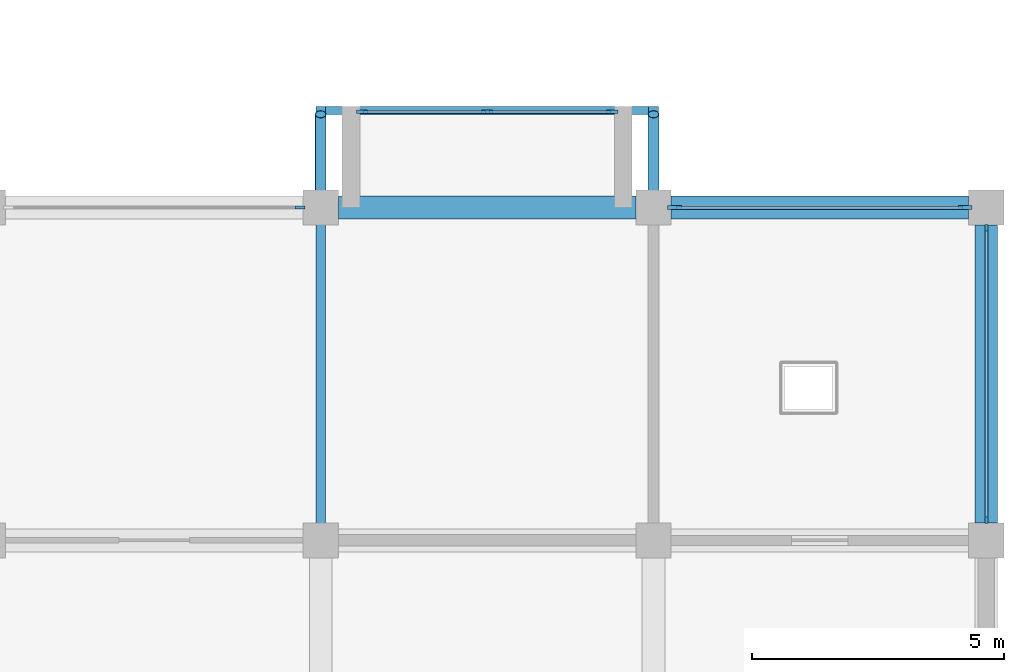
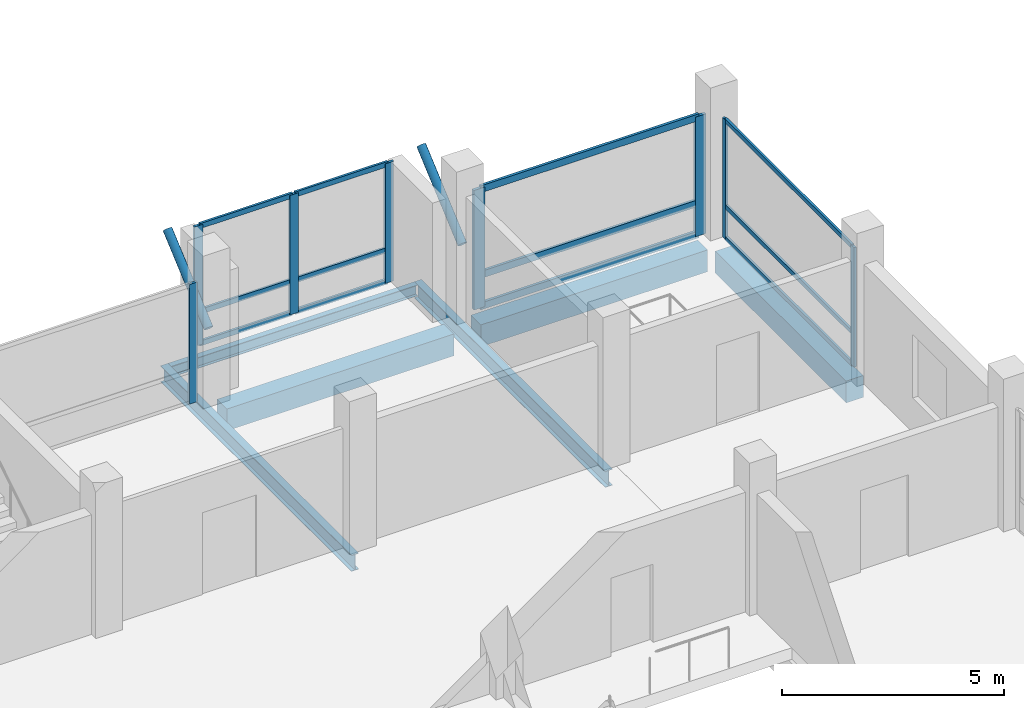
# One storey, part 3 of 11: 22 members, 6 beams, 4 elements without a shape of their own.
"""IFC4 building model written with IfcOpenShell, lengths in metres."""

import ifcopenshell
import ifcopenshell.guid

model = None  # the IFC model being written
_history = None  # IfcOwnerHistory: only IFC2X3 demands one
_inside = {}  # id of a spatial element -> (the spatial element, [elements in it])
_under = {}  # id of a project, library or spatial element -> (it, [spatial elements below it])
_declared = {}  # id of a project -> (the project, [libraries it declares])
_typed = {}  # id of a type object -> (the type object, [elements of that type])
_made_of = {}  # id of a material, layer set ... -> (it, [elements and type objects made of it])


def new_model(schema):
    """Start an empty IFC model of exactly this schema.

    Asked for "IFC4X3", IfcOpenShell would pick the latest addendum, in which some entities
    have other attributes; the version numbers below select the first issue.
    IFC2X3 requires an IfcOwnerHistory on every rooted entity: one is made here for all.
    """
    global model, _history
    if schema == "IFC4X3":
        model = ifcopenshell.file(schema_version=(4, 3, 0, 0))
    else:
        model = ifcopenshell.file(schema=schema)
    _inside.clear()
    _under.clear()
    _declared.clear()
    _typed.clear()
    _made_of.clear()
    _history = None
    if model.schema == "IFC2X3":
        org = make("IfcOrganization", Name="unknown")
        user = make(
            "IfcPersonAndOrganization",
            ThePerson=make("IfcPerson", FamilyName="unknown"),
            TheOrganization=org,
        )
        app = make(
            "IfcApplication",
            ApplicationDeveloper=org,
            Version="unknown",
            ApplicationFullName="unknown",
            ApplicationIdentifier="unknown",
        )
        _history = make(
            "IfcOwnerHistory",
            OwningUser=user,
            OwningApplication=app,
            ChangeAction="ADDED",
            CreationDate=0,
        )
    return model


def make(cls, **values):
    """One entity of the class cls with the attributes given. An attribute that is None is left unset."""
    return model.create_entity(
        cls, **{name: value for name, value in values.items() if value is not None}
    )


def rooted(cls, **values):
    """An entity with a GlobalId (a new one), such as an element, a storey or a relation."""
    return make(cls, GlobalId=ifcopenshell.guid.new(), OwnerHistory=_history, **values)


def si_unit(unit_type, name, prefix=None):
    """IfcSIUnit, for example si_unit("LENGTHUNIT", "METRE", prefix="MILLI")."""
    return make("IfcSIUnit", UnitType=unit_type, Prefix=prefix, Name=name)


def assignment(units):
    """IfcUnitAssignment: the units of a project."""
    return None if units is None else make("IfcUnitAssignment", Units=units)


def point(xyz):
    """IfcCartesianPoint."""
    return None if xyz is None else make("IfcCartesianPoint", Coordinates=xyz)


def direction(xyz):
    """IfcDirection."""
    return None if xyz is None else make("IfcDirection", DirectionRatios=xyz)


def frame(location, z_axis=None, x_axis=None):
    """IfcAxis2Placement3D, a coordinate frame: its origin and axes. An axis left out is left unset."""
    return make(
        "IfcAxis2Placement3D",
        Location=point(location),
        Axis=direction(z_axis),
        RefDirection=direction(x_axis),
    )


def frame_2d(location, x_axis=None):
    """IfcAxis2Placement2D, a coordinate frame in the plane: its origin and x axis."""
    return make(
        "IfcAxis2Placement2D", Location=point(location), RefDirection=direction(x_axis)
    )


def origin():
    """The frame at (0, 0, 0) with its axes left unset."""
    return frame((0.0, 0.0, 0.0))


def origin_2d():
    """The frame at (0, 0) in the plane with its x axis left unset."""
    return frame_2d((0.0, 0.0))


def place(relative_to, where):
    """IfcLocalPlacement: puts the frame where relative to a parent placement (None: the world)."""
    return make(
        "IfcLocalPlacement", PlacementRelTo=relative_to, RelativePlacement=where
    )


def context(
    kind, dimensions, precision=None, world=None, true_north=None, identifier=None
):
    """IfcGeometricRepresentationContext, for example the 3D "Model" context."""
    return make(
        "IfcGeometricRepresentationContext",
        ContextIdentifier=identifier,
        ContextType=kind,
        CoordinateSpaceDimension=dimensions,
        Precision=precision,
        WorldCoordinateSystem=world,
        TrueNorth=true_north,
    )


def subcontext(parent, identifier, kind, view, scale=None):
    """IfcGeometricRepresentationSubContext, for example "Body" below "Model"."""
    return make(
        "IfcGeometricRepresentationSubContext",
        ContextIdentifier=identifier,
        ContextType=kind,
        ParentContext=parent,
        TargetScale=scale,
        TargetView=view,
    )


def project(units=None, contexts=None):
    """IfcProject with its units and contexts."""
    return rooted(
        "IfcProject",
        Name="project",
        RepresentationContexts=contexts,
        UnitsInContext=assignment(units),
    )


def spatial(cls, under=None, at=None, **own):
    """A site, building, storey or space (cls), placed at a placement, below another one or the project."""
    s = rooted(cls, ObjectPlacement=at, **own)
    if under is not None:
        _under.setdefault(under.id(), (under, []))[1].append(s)
    return s


def profile(cls, at=None, kind="AREA", **sizes):
    """A parametric profile (cls). Its sizes go by their IFC names, for example OverallWidth=200.0."""
    return make(cls, ProfileType=kind, Position=at, **sizes)


def rectangle(**sizes):
    """IfcRectangleProfileDef."""
    return profile("IfcRectangleProfileDef", **sizes)


def hollow_circle(**sizes):
    """IfcCircleHollowProfileDef."""
    return profile("IfcCircleHollowProfileDef", **sizes)


def i_section(**sizes):
    """IfcIShapeProfileDef."""
    return profile("IfcIShapeProfileDef", **sizes)


def extrude(swept, where, along, depth):
    """IfcExtrudedAreaSolid: the profile swept, set in the frame where, extruded along a direction by depth."""
    return make(
        "IfcExtrudedAreaSolid",
        SweptArea=swept,
        Position=where,
        ExtrudedDirection=direction(along),
        Depth=depth,
    )


def shape(context_of_items, identifier, shape_type, items):
    """IfcShapeRepresentation: the items that make up one representation, for example the "Body"."""
    return make(
        "IfcShapeRepresentation",
        ContextOfItems=context_of_items,
        RepresentationIdentifier=identifier,
        RepresentationType=shape_type,
        Items=items,
    )


def material(Name=None, Category=None):
    """IfcMaterial."""
    return make("IfcMaterial", Name=Name, Category=Category)


def material_profile(
    of_material, cross_section, Name=None, Category=None, Priority=None
):
    """IfcMaterialProfile: a cross section and its material."""
    return make(
        "IfcMaterialProfile",
        Name=Name,
        Material=of_material,
        Profile=cross_section,
        Priority=Priority,
        Category=Category,
    )


def profile_set(profiles, Name=None, composite=None):
    """IfcMaterialProfileSet."""
    return make(
        "IfcMaterialProfileSet",
        Name=Name,
        MaterialProfiles=profiles,
        CompositeProfile=composite,
    )


def made_of(thing, what):
    """Note that an element or type object is made of a material, layer set ...; save() writes the relation."""
    if what is not None:
        _made_of.setdefault(what.id(), (what, []))[1].append(thing)
    return thing


def type_object(cls, material=None, **own):
    """A type object (cls), such as IfcWallType, which elements share."""
    return made_of(rooted(cls, **own), material)


def element(
    cls,
    number,
    at=None,
    inside=None,
    cuts=None,
    type_object=None,
    material=None,
    context=None,
    identifier="Body",
    shape_type=None,
    held_by="IfcProductDefinitionShape",
    body=None,
    shapes=None,
    **own,
):
    """One element of the class cls, such as IfcWall. Its Tag is "e" and its number.

    at: its placement. inside: the storey or other place that contains it. cuts: it is an
    opening in that element (IfcRelVoidsElement). A single representation is given by context,
    identifier, shape_type and body (its items); several are given by shapes. held_by: the class
    of the entity that holds the representations. save() writes the other relations.
    """
    e = rooted(cls, Tag="e%d" % number, ObjectPlacement=at, **own)
    if body is not None:
        shapes = [shape(context, identifier, shape_type, body)]
    if shapes is not None:
        e.Representation = make(held_by, Representations=shapes)
    if inside is not None:
        _inside.setdefault(inside.id(), (inside, []))[1].append(e)
    if cuts is not None:
        rooted(
            "IfcRelVoidsElement", RelatingBuildingElement=cuts, RelatedOpeningElement=e
        )
    if type_object is not None:
        _typed.setdefault(type_object.id(), (type_object, []))[1].append(e)
    return made_of(e, material)


def aggregate(whole, parts):
    """IfcRelAggregates: a whole, such as a stair, and the parts it consists of."""
    return rooted("IfcRelAggregates", RelatingObject=whole, RelatedObjects=parts)


def save(model, path):
    """Write the relations noted so far, then the file.

    IfcRelAggregates (storeys below a building ...), IfcRelContainedInSpatialStructure (elements
    in a storey), IfcRelDefinesByType, IfcRelAssociatesMaterial and IfcRelDeclares: one each for
    every whole, place, type object, material and project.
    """
    for whole, parts in _under.values():
        aggregate(whole, parts)
    for where, things in _inside.values():
        rooted(
            "IfcRelContainedInSpatialStructure",
            RelatedElements=things,
            RelatingStructure=where,
        )
    for kind, things in _typed.values():
        rooted("IfcRelDefinesByType", RelatedObjects=things, RelatingType=kind)
    for what, things in _made_of.values():
        rooted("IfcRelAssociatesMaterial", RelatedObjects=things, RelatingMaterial=what)
    for by, libraries in _declared.values():
        rooted("IfcRelDeclares", RelatingContext=by, RelatedDefinitions=libraries)
    model.write(path)


model = new_model("IFC4")

# Units and contexts
model_context = context("Model", 3, precision=1e-05, world=origin(), true_north=direction((0.0, 1.0)))
body_context = subcontext(model_context, "Body", "Model", "MODEL_VIEW")
ifc_project = project(units=[si_unit("LENGTHUNIT", "METRE"), si_unit("AREAUNIT", "SQUARE_METRE"), si_unit("VOLUMEUNIT", "CUBIC_METRE"), si_unit("PLANEANGLEUNIT", "RADIAN"), si_unit("MASSUNIT", "GRAM", prefix="KILO")], contexts=[model_context])

# Site, building, storey
site_placement = place(None, origin())
site = spatial("IfcSite", under=ifc_project, at=site_placement, CompositionType="ELEMENT")
building_placement = place(site_placement, origin())
building = spatial("IfcBuilding", under=site, at=building_placement, Name="Rusizi Kubbe Research Institute", CompositionType="ELEMENT")
storey_placement = place(building_placement, frame((0.0, 0.0, 39.60009765625)))
storey = spatial("IfcBuildingStorey", under=building, at=storey_placement, Name="L09", CompositionType="ELEMENT", Elevation=39.60009765625)

# Beams
ifc_material_1 = material(Name="Steel S355", Category="steel")
ifc_material_profile_1 = material_profile(ifc_material_1, i_section(OverallWidth=0.14990234375, OverallDepth=0.300048828125, WebThickness=0.007080078125, FlangeThickness=0.0107421875, at=origin_2d()), Name="IPE 300")
ifc_profile_set_1 = profile_set([ifc_material_profile_1], Name="Steel S355")
beam_type_1 = type_object("IfcBeamType", Name="BM-IPE300", PredefinedType="BEAM", material=ifc_profile_set_1)
beam_1_placement = place(storey_placement, frame((33.094970703125, 28.324951171875, -0.47021484375), z_axis=(1.0, 0.0, 0.0), x_axis=(0.0, 1.0, 0.0)))
element("IfcBeam", 1, at=beam_1_placement, inside=storey, type_object=beam_type_1, Name="Cumba Edge Tie Beam L09-3", PredefinedType="BEAM", context=body_context, shape_type="SweptSolid", body=[
    extrude(i_section(OverallWidth=0.14990234375, OverallDepth=0.300048828125, WebThickness=0.007080078125, FlangeThickness=0.0107421875, at=origin_2d()), origin(), (0.0, 0.0, 1.0), 6.409912109375),
])
ifc_material_2 = material(Name="Steel S355", Category="steel")
ifc_material_profile_2 = material_profile(ifc_material_2, i_section(OverallWidth=0.18994140625, OverallDepth=0.449951171875, WebThickness=0.009521484375, FlangeThickness=0.0146484375, at=origin_2d()), Name="IPE 450")
ifc_profile_set_2 = profile_set([ifc_material_profile_2], Name="Steel S355")
beam_type_2 = type_object("IfcBeamType", Name="BM-IPE450", PredefinedType="BEAM", material=ifc_profile_set_2)
for number, where, z_axis, x_axis, name in (
    (2, (33.0, 19.800048828125, -0.545166015625), (0.0, 1.0, 0.0), (-1.0, 0.0, 0.0), "Cumba Back-Spanned Cantilever Beam L09-3W"),
    (3, (39.60009765625, 19.800048828125, -0.545166015625), (0.0, 1.0, 0.0), (-1.0, 0.0, 0.0), "Cumba Back-Spanned Cantilever Beam L09-3E"),
):
    element("IfcBeam", number, at=place(storey_placement, frame(where, z_axis=z_axis, x_axis=x_axis)), inside=storey, type_object=beam_type_2, Name=name, PredefinedType="BEAM", context=body_context, shape_type="SweptSolid", body=[
        extrude(i_section(OverallWidth=0.18994140625, OverallDepth=0.449951171875, WebThickness=0.009521484375, FlangeThickness=0.0146484375, at=origin_2d()), origin(), (0.0, 0.0, 1.0), 8.599853515625),
    ])
ifc_material_3 = material(Name="Concrete C40/50", Category="concrete")
ifc_material_profile_3 = material_profile(ifc_material_3, rectangle(XDim=0.449951171875, YDim=0.60009765625, at=origin_2d()), Name="RC450x600")
ifc_profile_set_3 = profile_set([ifc_material_profile_3], Name="Concrete C40/50")
beam_type_3 = type_object("IfcBeamType", Name="BM-RC450x600", PredefinedType="SPANDREL", material=ifc_profile_set_3)
beam_2_placement = place(storey_placement, frame((33.35009765625, 26.39990234375, -0.6201171875), z_axis=(1.0, 0.0, 0.0), x_axis=(0.0, 1.0, 0.0)))
element("IfcBeam", 4, at=beam_2_placement, inside=storey, type_object=beam_type_3, Name="Grid Beam H L09 (5,4)", PredefinedType="SPANDREL", context=body_context, shape_type="SweptSolid", body=[
    extrude(rectangle(XDim=0.449951171875, YDim=0.60009765625, at=origin_2d()), origin(), (0.0, 0.0, 1.0), 5.89990234375),
])
for number, where, z_axis, x_axis, name in (
    (5, (39.949951171875, 26.39990234375, -0.6201171875), (1.0, 0.0, 0.0), (0.0, 1.0, 0.0), "Grid Beam H L09 (6,4)"),
    (6, (46.199951171875, 20.14990234375, -0.6201171875), (0.0, 1.0, 0.0), (-1.0, 0.0, 0.0), "Grid Beam V L09 (7,3)"),
):
    element("IfcBeam", number, at=place(storey_placement, frame(where, z_axis=z_axis, x_axis=x_axis)), inside=storey, type_object=beam_type_3, Name=name, PredefinedType="SPANDREL", context=body_context, shape_type="SweptSolid", body=[
        extrude(rectangle(XDim=0.449951171875, YDim=0.60009765625, at=origin_2d()), origin(), (0.0, 0.0, 1.0), 5.900146484375),
    ])

# Members
ifc_material_4 = material(Name="Steel S355", Category="steel")
ifc_material_profile_4 = material_profile(ifc_material_4, hollow_circle(Radius=0.109619140625, WallThickness=0.008056640625, at=origin_2d()), Name="CHS 219.1x8.0")
ifc_profile_set_4 = profile_set([ifc_material_profile_4], Name="Steel S355")
member_type_1 = type_object("IfcMemberType", Name="MB-CHS219", PredefinedType="BRACE", material=ifc_profile_set_4)
for number, where, z_axis, x_axis, name in (
    (7, (33.0, 26.39990234375, 1.889892578125), (0.0, 0.756360503059, 0.654155019405), (-1.0, 0.0, 0.0), "Cumba Diagonal Corbel Brace L10-4W"),
    (8, (39.60009765625, 26.39990234375, 1.889892578125), (0.0, 0.756360503059, 0.654155019405), (-1.0, 0.0, 0.0), "Cumba Diagonal Corbel Brace L10-4E"),
):
    element("IfcMember", number, at=place(storey_placement, frame(where, z_axis=z_axis, x_axis=x_axis)), inside=storey, type_object=member_type_1, Name=name, PredefinedType="BRACE", context=body_context, shape_type="SweptSolid", body=[
        extrude(hollow_circle(Radius=0.109619140625, WallThickness=0.008056640625, at=origin_2d()), origin(), (0.0, 0.0, 1.0), 2.446044921875),
    ])

# Curtain wall, members
ifc_material_5 = material(Name="Thermally Broken Aluminium and Low-E Glazing", Category="aluminium")
curtain_wall_type_1 = type_object("IfcCurtainWallType", Name="CW-13", PredefinedType="NOTDEFINED", material=ifc_material_5)
curtain_wall_1_placement = place(storey_placement, origin())
curtain_wall_1 = element("IfcCurtainWall", 9, at=curtain_wall_1_placement, inside=storey, type_object=curtain_wall_type_1, Name="Unitised Facade Curtain Wall CW-L09-V-07-03", PredefinedType="NOTDEFINED")
ifc_material_6 = material(Name="Aluminium Alloy 6063-T6", Category="aluminium")
ifc_material_profile_5 = material_profile(ifc_material_6, rectangle(XDim=0.06005859375, YDim=0.14990234375, at=origin_2d()), Name="ALU-M 60x150")
ifc_profile_set_5 = profile_set([ifc_material_profile_5], Name="Aluminium Alloy 6063-T6")
member_type_2 = type_object("IfcMemberType", Name="ML-01", PredefinedType="MULLION", material=ifc_profile_set_5)
member_1_placement = place(storey_placement, frame((46.199951171875, 20.2099609375, 0.0), z_axis=(0.0, 0.0, 1.0), x_axis=(-1.0, 0.0, 0.0)))
member_1 = element("IfcMember", 10, at=member_1_placement, type_object=member_type_2, Name="CW-13 mullion 1", PredefinedType="MULLION", context=body_context, shape_type="SweptSolid", body=[
    extrude(rectangle(XDim=0.06005859375, YDim=0.14990234375, at=origin_2d()), origin(), (0.0, 0.0, 1.0), 3.289794921875),
])
member_2_placement = place(storey_placement, frame((46.199951171875, 25.989990234375, 0.0), z_axis=(0.0, 0.0, 1.0), x_axis=(-1.0, 0.0, 0.0)))
member_2 = element("IfcMember", 11, at=member_2_placement, type_object=member_type_2, Name="CW-13 mullion 2", PredefinedType="MULLION", context=body_context, shape_type="SweptSolid", body=[
    extrude(rectangle(XDim=0.06005859375, YDim=0.14990234375, at=origin_2d()), origin(), (0.0, 0.0, 1.0), 3.289794921875),
])

# Curtain wall, member
ifc_material_7 = material(Name="Thermally Broken Aluminium and Low-E Glazing", Category="aluminium")
curtain_wall_type_2 = type_object("IfcCurtainWallType", Name="CW-12", PredefinedType="NOTDEFINED", material=ifc_material_7)
curtain_wall_2_placement = place(storey_placement, origin())
curtain_wall_2 = element("IfcCurtainWall", 12, at=curtain_wall_2_placement, inside=storey, type_object=curtain_wall_type_2, Name="Unitised Facade Curtain Wall CW-L09-H-04-04", PredefinedType="NOTDEFINED")
ifc_material_8 = material(Name="Aluminium Alloy 6063-T6", Category="aluminium")
ifc_material_profile_6 = material_profile(ifc_material_8, rectangle(XDim=0.06494140625, YDim=0.199951171875, at=origin_2d()), Name="ALU-M 65x200")
ifc_profile_set_6 = profile_set([ifc_material_profile_6], Name="Aluminium Alloy 6063-T6")
member_type_3 = type_object("IfcMemberType", Name="ML-03", PredefinedType="MULLION", material=ifc_profile_set_6)
member_3_placement = place(storey_placement, frame((32.58740234375, 26.39990234375, 0.0), z_axis=(0.0, 0.0, 1.0), x_axis=(0.0, 1.0, 0.0)))
member_3 = element("IfcMember", 13, at=member_3_placement, type_object=member_type_3, Name="CW-12 mullion 2", PredefinedType="MULLION", context=body_context, shape_type="SweptSolid", body=[
    extrude(rectangle(XDim=0.06494140625, YDim=0.199951171875, at=origin_2d()), origin(), (0.0, 0.0, 1.0), 3.289794921875),
])
aggregate(curtain_wall_2, [member_3])

# Curtain wall, members
ifc_material_9 = material(Name="Thermally Broken Aluminium and Low-E Glazing", Category="aluminium")
curtain_wall_type_3 = type_object("IfcCurtainWallType", Name="CW-04", PredefinedType="NOTDEFINED", material=ifc_material_9)
curtain_wall_3_placement = place(storey_placement, origin())
curtain_wall_3 = element("IfcCurtainWall", 14, at=curtain_wall_3_placement, inside=storey, type_object=curtain_wall_type_3, Name="Cumba Glazed Curtain Wall CW-CUMBA-L09-105", PredefinedType="NOTDEFINED")
ifc_material_10 = material(Name="Aluminium Alloy 6063-T6", Category="aluminium")
ifc_material_profile_7 = material_profile(ifc_material_10, rectangle(XDim=0.070068359375, YDim=0.219970703125, at=origin_2d()), Name="ALU-M 70x220")
ifc_profile_set_7 = profile_set([ifc_material_profile_7], Name="Aluminium Alloy 6063-T6")
member_type_4 = type_object("IfcMemberType", Name="ML-04", PredefinedType="MULLION", material=ifc_profile_set_7)
member_4_placement = place(storey_placement, frame((33.8173828125, 28.300048828125, 0.0), z_axis=(0.0, 0.0, 1.0), x_axis=(0.0, 1.0, 0.0)))
member_4 = element("IfcMember", 15, at=member_4_placement, type_object=member_type_4, Name="CW-04 mullion 1", PredefinedType="MULLION", context=body_context, shape_type="SweptSolid", body=[
    extrude(rectangle(XDim=0.070068359375, YDim=0.219970703125, at=origin_2d()), origin(), (0.0, 0.0, 1.0), 3.289794921875),
])
member_5_placement = place(storey_placement, frame((36.300048828125, 28.300048828125, 0.0), z_axis=(0.0, 0.0, 1.0), x_axis=(0.0, 1.0, 0.0)))
member_5 = element("IfcMember", 16, at=member_5_placement, type_object=member_type_4, Name="CW-04 mullion 2", PredefinedType="MULLION", context=body_context, shape_type="SweptSolid", body=[
    extrude(rectangle(XDim=0.070068359375, YDim=0.219970703125, at=origin_2d()), origin(), (0.0, 0.0, 1.0), 3.289794921875),
])
member_6_placement = place(storey_placement, frame((38.782470703125, 28.300048828125, 0.0), z_axis=(0.0, 0.0, 1.0), x_axis=(0.0, 1.0, 0.0)))
member_6 = element("IfcMember", 17, at=member_6_placement, type_object=member_type_4, Name="CW-04 mullion 3", PredefinedType="MULLION", context=body_context, shape_type="SweptSolid", body=[
    extrude(rectangle(XDim=0.070068359375, YDim=0.219970703125, at=origin_2d()), origin(), (0.0, 0.0, 1.0), 3.289794921875),
])

curtain_wall_4_placement = place(storey_placement, origin())
curtain_wall_4 = element("IfcCurtainWall", 18, at=curtain_wall_4_placement, inside=storey, type_object=curtain_wall_type_2, Name="Unitised Facade Curtain Wall CW-L09-H-06-04", PredefinedType="NOTDEFINED")
ifc_material_11 = material(Name="Aluminium Alloy 6063-T6", Category="aluminium")
ifc_material_profile_8 = material_profile(ifc_material_11, rectangle(XDim=0.080078125, YDim=0.280029296875, at=origin_2d()), Name="ALU-M 80x280")
ifc_profile_set_8 = profile_set([ifc_material_profile_8], Name="Aluminium Alloy 6063-T6")
member_type_5 = type_object("IfcMemberType", Name="ML-06", PredefinedType="MULLION", material=ifc_profile_set_8)
member_7_placement = place(storey_placement, frame((40.02001953125, 26.39990234375, 0.0), z_axis=(0.0, 0.0, 1.0), x_axis=(0.0, 1.0, 0.0)))
member_7 = element("IfcMember", 19, at=member_7_placement, type_object=member_type_5, Name="CW-12 mullion 1", PredefinedType="MULLION", context=body_context, shape_type="SweptSolid", body=[
    extrude(rectangle(XDim=0.080078125, YDim=0.280029296875, at=origin_2d()), origin(), (0.0, 0.0, 1.0), 3.289794921875),
])
member_8_placement = place(storey_placement, frame((45.780029296875, 26.39990234375, 0.0), z_axis=(0.0, 0.0, 1.0), x_axis=(0.0, 1.0, 0.0)))
member_8 = element("IfcMember", 20, at=member_8_placement, type_object=member_type_5, Name="CW-12 mullion 2", PredefinedType="MULLION", context=body_context, shape_type="SweptSolid", body=[
    extrude(rectangle(XDim=0.080078125, YDim=0.280029296875, at=origin_2d()), origin(), (0.0, 0.0, 1.0), 3.289794921875),
])

# Member
ifc_material_12 = material(Name="Aluminium Alloy 6063-T6", Category="aluminium")
ifc_material_profile_9 = material_profile(ifc_material_12, rectangle(XDim=0.06005859375, YDim=0.1201171875, at=origin_2d()), Name="ALU-T 60x120")
ifc_profile_set_9 = profile_set([ifc_material_profile_9], Name="Aluminium Alloy 6063-T6")
member_type_6 = type_object("IfcMemberType", Name="TR-01", PredefinedType="USERDEFINED", material=ifc_profile_set_9)
member_9_placement = place(storey_placement, frame((46.199951171875, 20.239990234375, 0.02978515625), z_axis=(0.0, 1.0, 0.0), x_axis=(-1.0, 0.0, 0.0)))
member_9 = element("IfcMember", 21, at=member_9_placement, type_object=member_type_6, Name="CW-13 transom 1.1", ObjectType="TRANSOM", PredefinedType="USERDEFINED", context=body_context, shape_type="SweptSolid", body=[
    extrude(rectangle(XDim=0.06005859375, YDim=0.1201171875, at=origin_2d()), origin(), (0.0, 0.0, 1.0), 5.719970703125),
])

member_10_placement = place(storey_placement, frame((46.199951171875, 20.239990234375, 0.89990234375), z_axis=(0.0, 1.0, 0.0), x_axis=(-1.0, 0.0, 0.0)))
member_10 = element("IfcMember", 22, at=member_10_placement, type_object=member_type_6, Name="CW-13 transom 1.2", ObjectType="TRANSOM", PredefinedType="USERDEFINED", context=body_context, shape_type="SweptSolid", body=[
    extrude(rectangle(XDim=0.06005859375, YDim=0.1201171875, at=origin_2d()), origin(), (0.0, 0.0, 1.0), 5.719970703125),
])

member_11_placement = place(storey_placement, frame((46.199951171875, 20.239990234375, 3.260009765625), z_axis=(0.0, 1.0, 0.0), x_axis=(-1.0, 0.0, 0.0)))
member_11 = element("IfcMember", 23, at=member_11_placement, type_object=member_type_6, Name="CW-13 transom 1.3", ObjectType="TRANSOM", PredefinedType="USERDEFINED", context=body_context, shape_type="SweptSolid", body=[
    extrude(rectangle(XDim=0.06005859375, YDim=0.1201171875, at=origin_2d()), origin(), (0.0, 0.0, 1.0), 5.719970703125),
])

aggregate(curtain_wall_1, [member_1, member_2, member_9, member_10, member_11])

ifc_material_13 = material(Name="Aluminium Alloy 6063-T6", Category="aluminium")
ifc_material_profile_10 = material_profile(ifc_material_13, rectangle(XDim=0.06005859375, YDim=0.139892578125, at=origin_2d()), Name="ALU-T 60x140")
ifc_profile_set_10 = profile_set([ifc_material_profile_10], Name="Aluminium Alloy 6063-T6")
member_type_7 = type_object("IfcMemberType", Name="TR-02", PredefinedType="USERDEFINED", material=ifc_profile_set_10)
member_12_placement = place(storey_placement, frame((33.8525390625, 28.300048828125, 0.02978515625), z_axis=(1.0, 0.0, 0.0), x_axis=(0.0, 1.0, 0.0)))
member_12 = element("IfcMember", 24, at=member_12_placement, type_object=member_type_7, Name="CW-04 transom 1.1", ObjectType="TRANSOM", PredefinedType="USERDEFINED", context=body_context, shape_type="SweptSolid", body=[
    extrude(rectangle(XDim=0.06005859375, YDim=0.139892578125, at=origin_2d()), origin(), (0.0, 0.0, 1.0), 2.412353515625),
])

member_13_placement = place(storey_placement, frame((33.8525390625, 28.300048828125, 0.89990234375), z_axis=(1.0, 0.0, 0.0), x_axis=(0.0, 1.0, 0.0)))
member_13 = element("IfcMember", 25, at=member_13_placement, type_object=member_type_7, Name="CW-04 transom 1.2", ObjectType="TRANSOM", PredefinedType="USERDEFINED", context=body_context, shape_type="SweptSolid", body=[
    extrude(rectangle(XDim=0.06005859375, YDim=0.139892578125, at=origin_2d()), origin(), (0.0, 0.0, 1.0), 2.412353515625),
])

member_14_placement = place(storey_placement, frame((33.8525390625, 28.300048828125, 3.260009765625), z_axis=(1.0, 0.0, 0.0), x_axis=(0.0, 1.0, 0.0)))
member_14 = element("IfcMember", 26, at=member_14_placement, type_object=member_type_7, Name="CW-04 transom 1.3", ObjectType="TRANSOM", PredefinedType="USERDEFINED", context=body_context, shape_type="SweptSolid", body=[
    extrude(rectangle(XDim=0.06005859375, YDim=0.139892578125, at=origin_2d()), origin(), (0.0, 0.0, 1.0), 2.412353515625),
])

member_15_placement = place(storey_placement, frame((36.3349609375, 28.300048828125, 0.02978515625), z_axis=(1.0, 0.0, 0.0), x_axis=(0.0, 1.0, 0.0)))
member_15 = element("IfcMember", 27, at=member_15_placement, type_object=member_type_7, Name="CW-04 transom 2.1", ObjectType="TRANSOM", PredefinedType="USERDEFINED", context=body_context, shape_type="SweptSolid", body=[
    extrude(rectangle(XDim=0.06005859375, YDim=0.139892578125, at=origin_2d()), origin(), (0.0, 0.0, 1.0), 2.41259765625),
])

member_16_placement = place(storey_placement, frame((36.3349609375, 28.300048828125, 0.89990234375), z_axis=(1.0, 0.0, 0.0), x_axis=(0.0, 1.0, 0.0)))
member_16 = element("IfcMember", 28, at=member_16_placement, type_object=member_type_7, Name="CW-04 transom 2.2", ObjectType="TRANSOM", PredefinedType="USERDEFINED", context=body_context, shape_type="SweptSolid", body=[
    extrude(rectangle(XDim=0.06005859375, YDim=0.139892578125, at=origin_2d()), origin(), (0.0, 0.0, 1.0), 2.41259765625),
])

member_17_placement = place(storey_placement, frame((36.3349609375, 28.300048828125, 3.260009765625), z_axis=(1.0, 0.0, 0.0), x_axis=(0.0, 1.0, 0.0)))
member_17 = element("IfcMember", 29, at=member_17_placement, type_object=member_type_7, Name="CW-04 transom 2.3", ObjectType="TRANSOM", PredefinedType="USERDEFINED", context=body_context, shape_type="SweptSolid", body=[
    extrude(rectangle(XDim=0.06005859375, YDim=0.139892578125, at=origin_2d()), origin(), (0.0, 0.0, 1.0), 2.41259765625),
])

aggregate(curtain_wall_3, [member_4, member_5, member_6, member_12, member_13, member_14, member_15, member_16, member_17])

ifc_material_14 = material(Name="Aluminium Alloy 6063-T6", Category="aluminium")
ifc_material_profile_11 = material_profile(ifc_material_14, rectangle(XDim=0.070068359375, YDim=0.18994140625, at=origin_2d()), Name="ALU-T 70x190")
ifc_profile_set_11 = profile_set([ifc_material_profile_11], Name="Aluminium Alloy 6063-T6")
member_type_8 = type_object("IfcMemberType", Name="TR-04", PredefinedType="USERDEFINED", material=ifc_profile_set_11)
member_18_placement = place(storey_placement, frame((40.06005859375, 26.39990234375, 0.034912109375), z_axis=(1.0, 0.0, 0.0), x_axis=(0.0, 1.0, 0.0)))
member_18 = element("IfcMember", 30, at=member_18_placement, type_object=member_type_8, Name="CW-12 transom 1.1", ObjectType="TRANSOM", PredefinedType="USERDEFINED", context=body_context, shape_type="SweptSolid", body=[
    extrude(rectangle(XDim=0.070068359375, YDim=0.18994140625, at=origin_2d()), origin(), (0.0, 0.0, 1.0), 5.679931640625),
])

member_19_placement = place(storey_placement, frame((40.06005859375, 26.39990234375, 0.89990234375), z_axis=(1.0, 0.0, 0.0), x_axis=(0.0, 1.0, 0.0)))
member_19 = element("IfcMember", 31, at=member_19_placement, type_object=member_type_8, Name="CW-12 transom 1.2", ObjectType="TRANSOM", PredefinedType="USERDEFINED", context=body_context, shape_type="SweptSolid", body=[
    extrude(rectangle(XDim=0.070068359375, YDim=0.18994140625, at=origin_2d()), origin(), (0.0, 0.0, 1.0), 5.679931640625),
])

member_20_placement = place(storey_placement, frame((40.06005859375, 26.39990234375, 3.2548828125), z_axis=(1.0, 0.0, 0.0), x_axis=(0.0, 1.0, 0.0)))
member_20 = element("IfcMember", 32, at=member_20_placement, type_object=member_type_8, Name="CW-12 transom 1.3", ObjectType="TRANSOM", PredefinedType="USERDEFINED", context=body_context, shape_type="SweptSolid", body=[
    extrude(rectangle(XDim=0.070068359375, YDim=0.18994140625, at=origin_2d()), origin(), (0.0, 0.0, 1.0), 5.679931640625),
])

aggregate(curtain_wall_4, [member_7, member_8, member_18, member_19, member_20])

save(model, "model.ifc")
